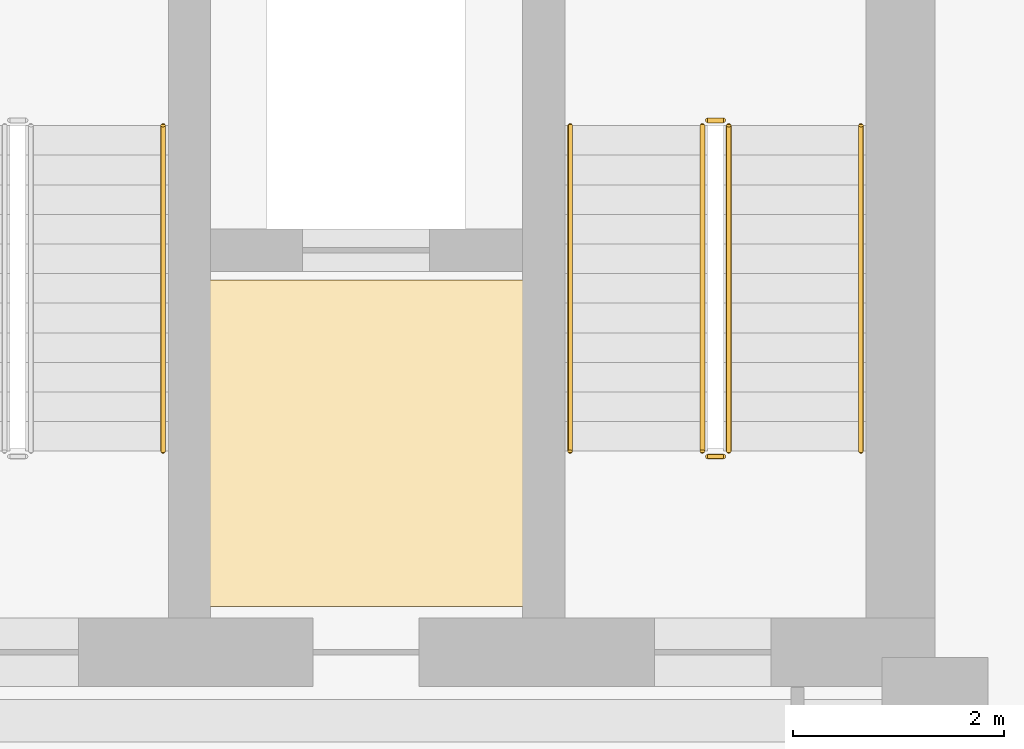
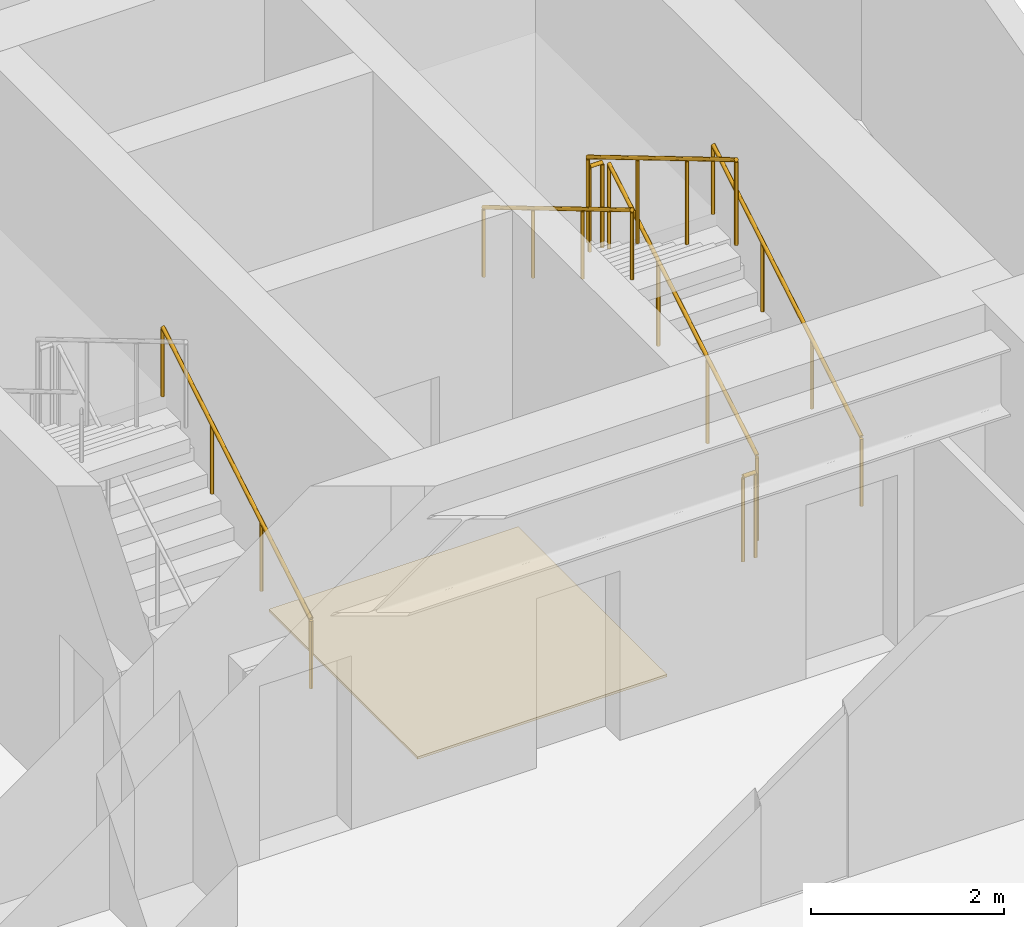
# One storey, part 26 of 26: 7 railings, 1 covering.
"""IFC4 building model written with IfcOpenShell, lengths in metres."""

from ifc_helpers import new_model, si_unit, direction, frame, origin, origin_2d, place, context, subcontext, project, spatial, polyline, circle, outline, extrude, material, layer, layer_set, type_object, element, save


model = new_model("IFC4")

# Units and contexts
model_context = context("Model", 3, precision=1e-05, world=origin(), true_north=direction((0.0, 1.0)))
body_context = subcontext(model_context, "Body", "Model", "MODEL_VIEW")
ifc_project = project(units=[si_unit("LENGTHUNIT", "METRE"), si_unit("AREAUNIT", "SQUARE_METRE"), si_unit("VOLUMEUNIT", "CUBIC_METRE"), si_unit("PLANEANGLEUNIT", "RADIAN"), si_unit("MASSUNIT", "GRAM", prefix="KILO")], contexts=[model_context])

# Site, building, storey
site_placement = place(None, origin())
site = spatial("IfcSite", under=ifc_project, at=site_placement, CompositionType="ELEMENT")
building_placement = place(site_placement, origin())
building = spatial("IfcBuilding", under=site, at=building_placement, Name="Kravanh Interchange Tower", CompositionType="ELEMENT")
storey_placement = place(building_placement, frame((0.0, 0.0, 136.0)))
storey = spatial("IfcBuildingStorey", under=building, at=storey_placement, Name="L32", CompositionType="ELEMENT", Elevation=136.0)

# Covering
ifc_material_1 = material(Name="Cementitious Terrazzo Tile")
ifc_layer_1 = layer(ifc_material_1, 0.030029296875)
ifc_layer_set_1 = layer_set([ifc_layer_1], Name="Honed Terrazzo Lobby Flooring 30mm")
covering_type = type_object("IfcCoveringType", Name="Honed Terrazzo Lobby Flooring 30mm", PredefinedType="FLOORING", material=ifc_layer_set_1)
covering_placement = place(storey_placement, origin())
element("IfcCovering", 1, at=covering_placement, inside=storey, type_object=covering_type, Name="L32 Service Lift Lobby Floor Finish", PredefinedType="FLOORING", context=body_context, shape_type="SweptSolid", body=[
    extrude(outline(polyline([(59.6298828125, 41.52001953125), (62.6201171875, 41.52001953125), (62.6201171875, 38.429931640625), (59.6298828125, 38.429931640625), (59.6298828125, 41.52001953125)])), origin(), (0.0, 0.0, 1.0), 0.030029296875),
])

# Railings
ifc_material_2 = material(Name="Structural Steel S355", Category="steel")
ifc_layer_2 = layer(ifc_material_2, 0.050048828125)
ifc_layer_set_2 = layer_set([ifc_layer_2], Name="Stair Well Guardrail Structural Steel S355 1100mm")
railing_type_1 = type_object("IfcRailingType", Name="Stair Well Guardrail Structural Steel S355 1100mm", PredefinedType="GUARDRAIL", material=ifc_layer_set_2)
railing_1_placement = place(storey_placement, frame((64.550048828125, 39.89990234375, 0.166748046875)))
element("IfcRailing", 2, at=railing_1_placement, inside=storey, type_object=railing_type_1, Name="L32 ST1 stair guard 1", PredefinedType="GUARDRAIL", context=body_context, shape_type="SweptSolid", body=[
    extrude(circle(Radius=0.02392578125, at=origin_2d()), frame((0.0, 0.0, 1.076171875), z_axis=(0.0, 0.859308565015, 0.511457515432), x_axis=(-1.0, 0.0, 0.0)), (0.0, 0.0, 1.0), 3.58447265625),
    extrude(circle(Radius=0.02099609375, at=origin_2d()), origin(), (0.0, 0.0, 1.0), 1.052001953125),
    extrude(circle(Radius=0.02099609375, at=origin_2d()), frame((0.0, 1.026611328125, 0.611083984375)), (0.0, 0.0, 1.0), 1.052001953125),
    extrude(circle(Radius=0.02099609375, at=origin_2d()), frame((0.0, 2.053466796875, 1.22216796875)), (0.0, 0.0, 1.0), 1.052001953125),
    extrude(circle(Radius=0.02099609375, at=origin_2d()), frame((0.0, 3.080078125, 1.833251953125)), (0.0, 0.0, 1.0), 1.052001953125),
])
railing_2_placement = place(storey_placement, frame((64.5, 43.030029296875, 2.0)))
element("IfcRailing", 3, at=railing_2_placement, inside=storey, type_object=railing_type_1, Name="L32 ST1 stair guard 2", PredefinedType="GUARDRAIL", context=body_context, shape_type="SweptSolid", body=[
    extrude(circle(Radius=0.02392578125, at=origin_2d()), frame((0.0, 0.0, 1.076171875), z_axis=(-1.0, 0.0, 0.0), x_axis=(0.0, -1.0, 0.0)), (0.0, 0.0, 1.0), 0.14990234375),
    extrude(circle(Radius=0.02099609375, at=origin_2d()), origin(), (0.0, 0.0, 1.0), 1.052001953125),
    extrude(circle(Radius=0.02099609375, at=origin_2d()), frame((-0.14990234375, 0.0, 0.0)), (0.0, 0.0, 1.0), 1.052001953125),
])
railing_3_placement = place(storey_placement, frame((64.300048828125, 42.97998046875, 2.166748046875)))
element("IfcRailing", 4, at=railing_3_placement, inside=storey, type_object=railing_type_1, Name="L32 ST1 stair guard 3", PredefinedType="GUARDRAIL", context=body_context, shape_type="SweptSolid", body=[
    extrude(circle(Radius=0.02392578125, at=origin_2d()), frame((0.0, 0.0, 1.076171875), z_axis=(0.0, -0.859308565015, 0.511457515432), x_axis=(1.0, 0.0, 0.0)), (0.0, 0.0, 1.0), 3.58447265625),
    extrude(circle(Radius=0.02099609375, at=origin_2d()), origin(), (0.0, 0.0, 1.0), 1.052001953125),
    extrude(circle(Radius=0.02099609375, at=origin_2d()), frame((0.0, -1.026611328125, 0.611083984375)), (0.0, 0.0, 1.0), 1.052001953125),
    extrude(circle(Radius=0.02099609375, at=origin_2d()), frame((0.0, -2.053466796875, 1.22216796875)), (0.0, 0.0, 1.0), 1.052001953125),
    extrude(circle(Radius=0.02099609375, at=origin_2d()), frame((0.0, -3.080078125, 1.833251953125)), (0.0, 0.0, 1.0), 1.052001953125),
])
railing_4_placement = place(storey_placement, frame((64.5, 39.85009765625, 0.0)))
element("IfcRailing", 5, at=railing_4_placement, inside=storey, type_object=railing_type_1, Name="L32 ST1 stair guard 4", PredefinedType="GUARDRAIL", context=body_context, shape_type="SweptSolid", body=[
    extrude(circle(Radius=0.02392578125, at=origin_2d()), frame((0.0, 0.0, 1.076171875), z_axis=(-1.0, 0.0, 0.0), x_axis=(0.0, -1.0, 0.0)), (0.0, 0.0, 1.0), 0.14990234375),
    extrude(circle(Radius=0.02099609375, at=origin_2d()), origin(), (0.0, 0.0, 1.0), 1.052001953125),
    extrude(circle(Radius=0.02099609375, at=origin_2d()), frame((-0.14990234375, 0.0, 0.0)), (0.0, 0.0, 1.0), 1.052001953125),
])
ifc_material_3 = material(Name="Stainless Steel 304", Category="steel")
ifc_layer_3 = layer(ifc_material_3, 0.044921875)
ifc_layer_set_3 = layer_set([ifc_layer_3], Name="Tubular Stair Handrail Stainless 304 900mm")
railing_type_2 = type_object("IfcRailingType", Name="Tubular Stair Handrail Stainless 304 900mm", PredefinedType="HANDRAIL", material=ifc_layer_set_3)
railing_5_placement = place(storey_placement, frame((65.800048828125, 39.89990234375, 0.166748046875)))
element("IfcRailing", 6, at=railing_5_placement, inside=storey, type_object=railing_type_2, Name="L32 ST1 stair handrail 1", PredefinedType="HANDRAIL", context=body_context, shape_type="SweptSolid", body=[
    extrude(circle(Radius=0.02392578125, at=origin_2d()), frame((0.0, 0.0, 0.8759765625), z_axis=(0.0, 0.859308565015, 0.511457515432), x_axis=(-1.0, 0.0, 0.0)), (0.0, 0.0, 1.0), 3.58447265625),
    extrude(circle(Radius=0.02099609375, at=origin_2d()), origin(), (0.0, 0.0, 1.0), 0.851806640625),
    extrude(circle(Radius=0.02099609375, at=origin_2d()), frame((0.0, 1.026611328125, 0.611083984375)), (0.0, 0.0, 1.0), 0.851806640625),
    extrude(circle(Radius=0.02099609375, at=origin_2d()), frame((0.0, 2.053466796875, 1.22216796875)), (0.0, 0.0, 1.0), 0.851806640625),
    extrude(circle(Radius=0.02099609375, at=origin_2d()), frame((0.0, 3.080078125, 1.833251953125)), (0.0, 0.0, 1.0), 0.851806640625),
])
railing_6_placement = place(storey_placement, frame((63.050048828125, 42.97998046875, 2.166748046875)))
element("IfcRailing", 7, at=railing_6_placement, inside=storey, type_object=railing_type_2, Name="L32 ST1 stair handrail 2", PredefinedType="HANDRAIL", context=body_context, shape_type="SweptSolid", body=[
    extrude(circle(Radius=0.02392578125, at=origin_2d()), frame((0.0, 0.0, 0.8759765625), z_axis=(0.0, -0.859308565015, 0.511457515432), x_axis=(1.0, 0.0, 0.0)), (0.0, 0.0, 1.0), 3.58447265625),
    extrude(circle(Radius=0.02099609375, at=origin_2d()), origin(), (0.0, 0.0, 1.0), 0.851806640625),
    extrude(circle(Radius=0.02099609375, at=origin_2d()), frame((0.0, -1.026611328125, 0.611083984375)), (0.0, 0.0, 1.0), 0.851806640625),
    extrude(circle(Radius=0.02099609375, at=origin_2d()), frame((0.0, -2.053466796875, 1.22216796875)), (0.0, 0.0, 1.0), 0.851806640625),
    extrude(circle(Radius=0.02099609375, at=origin_2d()), frame((0.0, -3.080078125, 1.833251953125)), (0.0, 0.0, 1.0), 0.851806640625),
])
railing_7_placement = place(storey_placement, frame((59.199951171875, 39.89990234375, 0.166748046875)))
element("IfcRailing", 8, at=railing_7_placement, inside=storey, type_object=railing_type_2, Name="L32 ST2 stair handrail 1", PredefinedType="HANDRAIL", context=body_context, shape_type="SweptSolid", body=[
    extrude(circle(Radius=0.02392578125, at=origin_2d()), frame((0.0, 0.0, 0.8759765625), z_axis=(0.0, 0.859308565015, 0.511457515432), x_axis=(-1.0, 0.0, 0.0)), (0.0, 0.0, 1.0), 3.58447265625),
    extrude(circle(Radius=0.02099609375, at=origin_2d()), origin(), (0.0, 0.0, 1.0), 0.851806640625),
    extrude(circle(Radius=0.02099609375, at=origin_2d()), frame((0.0, 1.026611328125, 0.611083984375)), (0.0, 0.0, 1.0), 0.851806640625),
    extrude(circle(Radius=0.02099609375, at=origin_2d()), frame((0.0, 2.053466796875, 1.22216796875)), (0.0, 0.0, 1.0), 0.851806640625),
    extrude(circle(Radius=0.02099609375, at=origin_2d()), frame((0.0, 3.080078125, 1.833251953125)), (0.0, 0.0, 1.0), 0.851806640625),
])

save(model, "model.ifc")
